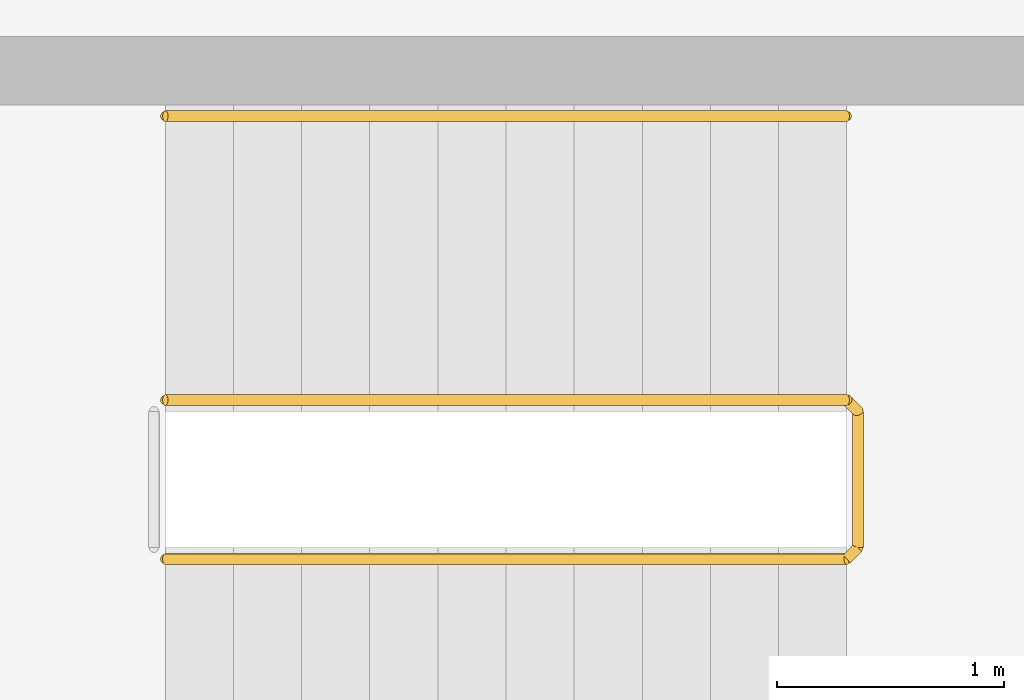
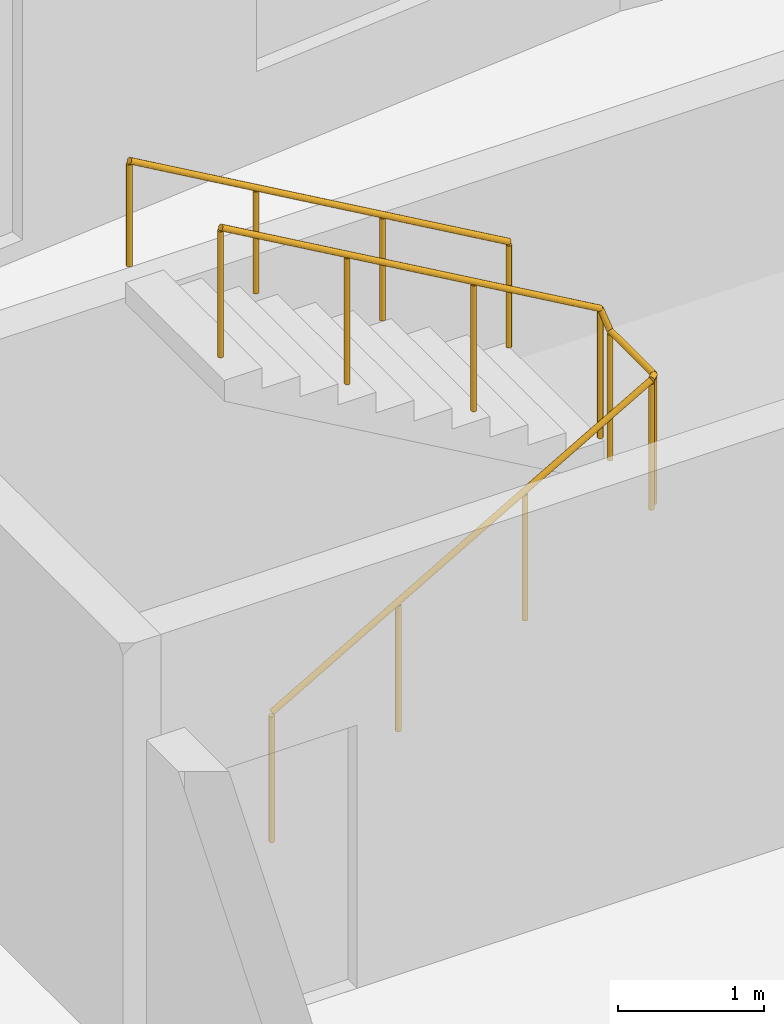
# One storey, part 10 of 10: 2 railings.
"""IFC4 building model written with IfcOpenShell, lengths in metres."""

from ifc_helpers import new_model, si_unit, direction, frame, origin, origin_2d, place, context, subcontext, project, spatial, circle, extrude, material, type_object, element, save


model = new_model("IFC4")

# Units and contexts
model_context = context("Model", 3, precision=1e-05, world=origin(), true_north=direction((0.0, 1.0)))
body_context = subcontext(model_context, "Body", "Model", "MODEL_VIEW")
ifc_project = project(units=[si_unit("LENGTHUNIT", "METRE"), si_unit("AREAUNIT", "SQUARE_METRE"), si_unit("VOLUMEUNIT", "CUBIC_METRE"), si_unit("PLANEANGLEUNIT", "RADIAN"), si_unit("MASSUNIT", "GRAM", prefix="KILO")], contexts=[model_context])

# Site, building, storey
site_placement = place(None, origin())
site = spatial("IfcSite", under=ifc_project, at=site_placement, CompositionType="ELEMENT")
building_placement = place(site_placement, origin())
building = spatial("IfcBuilding", under=site, at=building_placement, Name="Brondeck Convention Tower", CompositionType="ELEMENT")
storey_placement = place(building_placement, frame((0.0, 0.0, 170.0)))
storey = spatial("IfcBuildingStorey", under=building, at=storey_placement, Name="L41", CompositionType="ELEMENT", Elevation=170.0)

# Railings
ifc_material = material(Name="Steel S355", Category="steel")
railing_type_1 = type_object("IfcRailingType", Name="Stair guard 1100", PredefinedType="GUARDRAIL", material=ifc_material)
railing_1_placement = place(storey_placement, frame((37.85009765625, 55.449951171875, 0.172607421875)))
element("IfcRailing", 1, at=railing_1_placement, inside=storey, type_object=railing_type_1, Name="L41 ST-AE stair guard 1", PredefinedType="GUARDRAIL", context=body_context, shape_type="SweptSolid", body=[
    extrude(circle(Radius=0.02392578125, at=origin_2d()), frame((0.0, 0.0, 1.076171875), z_axis=(0.866619684472, 0.0, 0.498969260062), x_axis=(0.0, 1.0, 0.0)), (0.0, 0.0, 1.0), 3.461669921875),
    extrude(circle(Radius=0.02392578125, at=origin_2d()), frame((3.0, 0.0, 2.80322265625), z_axis=(0.705375805398, 0.708833529934, 0.0), x_axis=(-0.708833529934, 0.705375805398, 0.0)), (0.0, 0.0, 1.0), 0.070556640625),
    extrude(circle(Radius=0.02392578125, at=origin_2d()), frame((3.0498046875, 0.050048828125, 2.80322265625), z_axis=(0.0, 1.0, 0.0), x_axis=(-1.0, 0.0, 0.0)), (0.0, 0.0, 1.0), 0.60009765625),
    extrude(circle(Radius=0.02392578125, at=origin_2d()), frame((3.0498046875, 0.650146484375, 2.80322265625), z_axis=(-0.266832911964, 0.266832911964, 0.926067165051), x_axis=(-0.707106781187, -0.707106781187, 0.0)), (0.0, 0.0, 1.0), 0.186767578125),
    extrude(circle(Radius=0.02392578125, at=origin_2d()), frame((3.0, 0.699951171875, 2.97607421875), z_axis=(-0.866619684472, 0.0, 0.498969260062), x_axis=(0.0, -1.0, 0.0)), (0.0, 0.0, 1.0), 3.461669921875),
    extrude(circle(Radius=0.02099609375, at=origin_2d()), origin(), (0.0, 0.0, 1.0), 1.052001953125),
    extrude(circle(Radius=0.02099609375, at=origin_2d()), frame((1.0, 0.0, 0.57568359375)), (0.0, 0.0, 1.0), 1.052001953125),
    extrude(circle(Radius=0.02099609375, at=origin_2d()), frame((2.0, 0.0, 1.151611328125)), (0.0, 0.0, 1.0), 1.052001953125),
    extrude(circle(Radius=0.02099609375, at=origin_2d()), frame((3.0, 0.0, 1.727294921875)), (0.0, 0.0, 1.0), 1.052001953125),
    extrude(circle(Radius=0.02099609375, at=origin_2d()), frame((3.0498046875, 0.050048828125, 1.727294921875)), (0.0, 0.0, 1.0), 1.052001953125),
    extrude(circle(Radius=0.02099609375, at=origin_2d()), frame((3.0498046875, 0.650146484375, 1.727294921875)), (0.0, 0.0, 1.0), 1.052001953125),
    extrude(circle(Radius=0.02099609375, at=origin_2d()), frame((3.0, 0.699951171875, 1.900146484375)), (0.0, 0.0, 1.0), 1.052001953125),
    extrude(circle(Radius=0.02099609375, at=origin_2d()), frame((2.0, 0.699951171875, 2.475830078125)), (0.0, 0.0, 1.0), 1.052001953125),
    extrude(circle(Radius=0.02099609375, at=origin_2d()), frame((1.0, 0.699951171875, 3.0517578125)), (0.0, 0.0, 1.0), 1.052001953125),
    extrude(circle(Radius=0.02099609375, at=origin_2d()), frame((0.0, 0.699951171875, 3.62744140625)), (0.0, 0.0, 1.0), 1.052001953125),
])
railing_type_2 = type_object("IfcRailingType", Name="Stair handrail", PredefinedType="HANDRAIL", material=ifc_material)
railing_2_placement = place(storey_placement, frame((40.85009765625, 57.39990234375, 2.07275390625)))
element("IfcRailing", 2, at=railing_2_placement, inside=storey, type_object=railing_type_2, Name="L41 ST-AE stair handrail 2", PredefinedType="HANDRAIL", context=body_context, shape_type="SweptSolid", body=[
    extrude(circle(Radius=0.02392578125, at=origin_2d()), frame((0.0, 0.0, 0.8759765625), z_axis=(-0.866619684472, 0.0, 0.498969260062), x_axis=(0.0, -1.0, 0.0)), (0.0, 0.0, 1.0), 3.461669921875),
    extrude(circle(Radius=0.02099609375, at=origin_2d()), origin(), (0.0, 0.0, 1.0), 0.851806640625),
    extrude(circle(Radius=0.02099609375, at=origin_2d()), frame((-1.0, 0.0, 0.57568359375)), (0.0, 0.0, 1.0), 0.851806640625),
    extrude(circle(Radius=0.02099609375, at=origin_2d()), frame((-2.0, 0.0, 1.151611328125)), (0.0, 0.0, 1.0), 0.851806640625),
    extrude(circle(Radius=0.02099609375, at=origin_2d()), frame((-3.0, 0.0, 1.727294921875)), (0.0, 0.0, 1.0), 0.851806640625),
])

save(model, "model.ifc")
